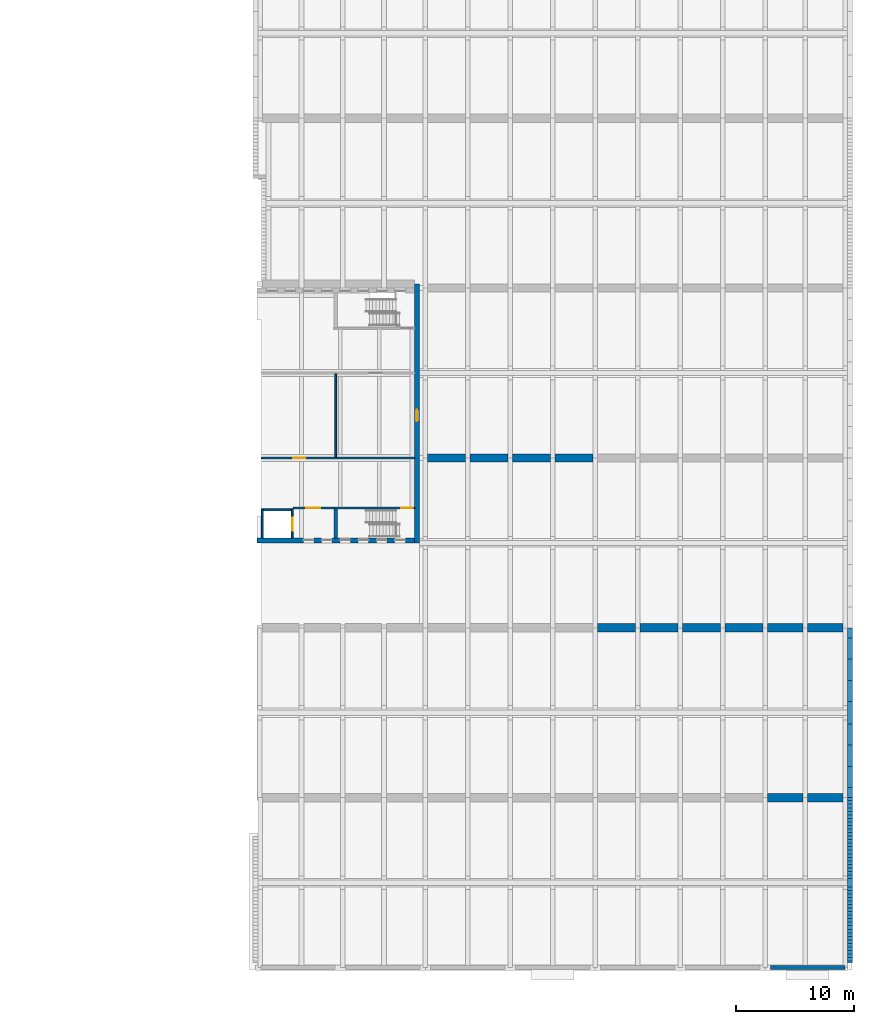
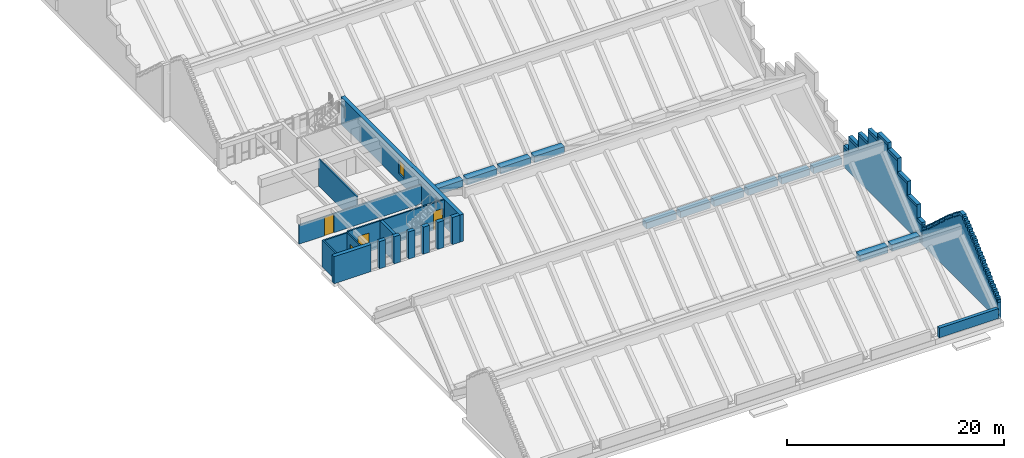
# One storey, part 23 of 31: 33 walls, 4 doors, 1 window, 5 openings.
"""IFC4 building model written with IfcOpenShell, lengths in metres."""

from ifc_helpers import new_model, si_unit, direction, frame, frame_2d, origin, place, context, subcontext, project, spatial, polyline, rectangle, outline, extrude, material, layer, layer_set, type_object, element, fill, save


model = new_model("IFC4")

# Units and contexts
model_context = context("Model", 3, precision=1e-05, world=origin(), true_north=direction((0.0, 1.0)))
body_context = subcontext(model_context, "Body", "Model", "MODEL_VIEW")
ifc_project = project(units=[si_unit("LENGTHUNIT", "METRE"), si_unit("AREAUNIT", "SQUARE_METRE"), si_unit("VOLUMEUNIT", "CUBIC_METRE"), si_unit("PLANEANGLEUNIT", "RADIAN"), si_unit("MASSUNIT", "GRAM", prefix="KILO")], contexts=[model_context])

# Site, building, storey
site_placement = place(None, origin())
site = spatial("IfcSite", under=ifc_project, at=site_placement, CompositionType="ELEMENT")
building_placement = place(site_placement, origin())
building = spatial("IfcBuilding", under=site, at=building_placement, Name="Vermilion Court Aquatics Centre", CompositionType="ELEMENT")
storey_placement = place(building_placement, frame((0.0, 0.0, 16.5)))
storey = spatial("IfcBuildingStorey", under=building, at=storey_placement, Name="L03", CompositionType="ELEMENT", Elevation=16.5)

# Wall
ifc_material_1 = material(Name="Concrete 5000 psi", Category="concrete")
ifc_layer_1 = layer(ifc_material_1, 0.14990234375)
ifc_layer_set_1 = layer_set([ifc_layer_1], Name="Diving Tower lift shaft wall 150")
wall_type_1 = type_object("IfcWallType", Name="Diving Tower lift shaft wall 150", PredefinedType="PARTITIONING", material=ifc_layer_set_1)
wall_1_placement = place(storey_placement, frame((144.574951171875, 36.39990234375, 0.0), z_axis=(0.0, 0.0, 1.0), x_axis=(0.0, 1.0, 0.0)))
element("IfcWall", 1, at=wall_1_placement, inside=storey, type_object=wall_type_1, Name="Diving Tower lift shaft wall west L03", PredefinedType="PARTITIONING", context=body_context, shape_type="SweptSolid", body=[
    extrude(rectangle(XDim=2.47509765625, YDim=0.14990234375, at=frame_2d((1.237548828125, 0.0))), origin(), (0.0, 0.0, 1.0), 3.050048828125),
])

# Wall, opening, door
wall_2_placement = place(storey_placement, frame((147.125, 36.39990234375, 0.0), z_axis=(0.0, 0.0, 1.0), x_axis=(0.0, 1.0, 0.0)))
wall_2 = element("IfcWall", 2, at=wall_2_placement, inside=storey, type_object=wall_type_1, Name="Diving Tower lift shaft wall front L03", PredefinedType="PARTITIONING", context=body_context, shape_type="SweptSolid", body=[
    extrude(rectangle(XDim=2.47509765625, YDim=0.14990234375, at=frame_2d((1.237548828125, 0.0))), origin(), (0.0, 0.0, 1.0), 3.050048828125),
])
opening_1_placement = place(wall_2_placement, frame((0.625, 0.0, 0.0)))
opening_1 = element("IfcOpeningElement", 3, at=opening_1_placement, cuts=wall_2, Name="Opening LD5-03", PredefinedType="OPENING", context=body_context, shape_type="SweptSolid", body=[
    extrude(rectangle(XDim=1.10009765625, YDim=2.10009765625, at=frame_2d((0.550048828125, 1.050048828125))), frame((0.0, 0.0849609375, 0.0), z_axis=(0.0, -1.0, 0.0), x_axis=(1.0, 0.0, 0.0)), (0.0, 0.0, 1.0), 0.169921875),
])
ifc_material_2 = material(Name="Hollow metal")
door_type_1 = type_object("IfcDoorType", Name="Diving Tower lift landing door 1100x2100", OperationType="DOUBLE_DOOR_SLIDING", PredefinedType="DOOR", material=ifc_material_2)
door_1_placement = place(opening_1_placement, origin())
door_1 = element("IfcDoor", 4, at=door_1_placement, inside=storey, type_object=door_type_1, Name="Lift landing door L5 L03", OperationType="DOUBLE_DOOR_SLIDING", OverallHeight=2.10009765625, OverallWidth=1.10009765625, PredefinedType="DOOR", context=body_context, shape_type="SweptSolid", body=[
    extrude(rectangle(XDim=1.10009765625, YDim=2.10009765625, at=frame_2d((0.550048828125, 1.050048828125))), frame((0.0, 0.02490234375, 0.0), z_axis=(0.0, -1.0, 0.0), x_axis=(1.0, 0.0, 0.0)), (0.0, 0.0, 1.0), 0.050048828125),
])
fill(opening_1, door_1)

# Wall
wall_3_placement = place(storey_placement, frame((144.64990234375, 38.800048828125, 0.0), z_axis=(0.0, 0.0, 1.0), x_axis=(1.0, 0.0, 0.0)))
element("IfcWall", 5, at=wall_3_placement, inside=storey, type_object=wall_type_1, Name="Diving Tower lift shaft wall north L03", PredefinedType="PARTITIONING", context=body_context, shape_type="SweptSolid", body=[
    extrude(rectangle(XDim=2.550048828125, YDim=0.14990234375, at=frame_2d((1.27490234375, 0.0))), origin(), (0.0, 0.0, 1.0), 3.050048828125),
])

# Wall, opening, door
ifc_material_3 = material(Name="Concrete masonry ASTM C90 Type I", Category="masonry")
ifc_layer_2 = layer(ifc_material_3, 0.14990234375)
ifc_layer_set_2 = layer_set([ifc_layer_2], Name="Diving Tower partition 150")
wall_type_2 = type_object("IfcWallType", Name="Diving Tower partition 150", PredefinedType="PARTITIONING", material=ifc_layer_set_2)
wall_4_placement = place(storey_placement, frame((144.5, 43.199951171875, 0.0), z_axis=(0.0, 0.0, 1.0), x_axis=(1.0, 0.0, 0.0)))
wall_4 = element("IfcWall", 6, at=wall_4_placement, inside=storey, type_object=wall_type_2, Name="Diving Tower partition y43.2 L03", PredefinedType="PARTITIONING", context=body_context, shape_type="SweptSolid", body=[
    extrude(rectangle(XDim=13.0, YDim=0.14990234375, at=frame_2d((6.5, 0.0))), origin(), (0.0, 0.0, 1.0), 2.14990234375),
])
opening_2_placement = place(wall_4_placement, frame((2.699951171875, 0.0, 0.0)))
opening_2 = element("IfcOpeningElement", 7, at=opening_2_placement, cuts=wall_4, Name="Opening U03-026", PredefinedType="OPENING", context=body_context, shape_type="SweptSolid", body=[
    extrude(rectangle(XDim=1.0, YDim=2.10009765625, at=frame_2d((0.5, 1.050048828125))), frame((0.0, 0.0849609375, 0.0), z_axis=(0.0, -1.0, 0.0), x_axis=(1.0, 0.0, 0.0)), (0.0, 0.0, 1.0), 0.169921875),
])
ifc_material_4 = material(Name="Timber door leaf", Category="wood")
door_type_2 = type_object("IfcDoorType", Name="Diving Tower room door FD20 1000x2100", OperationType="SINGLE_SWING_LEFT", PredefinedType="DOOR", material=ifc_material_4)
door_2_placement = place(opening_2_placement, origin())
door_2 = element("IfcDoor", 8, at=door_2_placement, inside=storey, type_object=door_type_2, Name="Judges' Room door L03", OperationType="SINGLE_SWING_LEFT", OverallHeight=2.10009765625, OverallWidth=1.0, PredefinedType="DOOR", context=body_context, shape_type="SweptSolid", body=[
    extrude(rectangle(XDim=1.0, YDim=2.10009765625, at=frame_2d((0.5, 1.050048828125))), frame((0.0, 0.02490234375, 0.0), z_axis=(0.0, -1.0, 0.0), x_axis=(1.0, 0.0, 0.0)), (0.0, 0.0, 1.0), 0.050048828125),
])
fill(opening_2, door_2)

# Wall
wall_5_placement = place(storey_placement, frame((150.800048828125, 43.27490234375, 0.0), z_axis=(0.0, 0.0, 1.0), x_axis=(0.0, 1.0, 0.0)))
element("IfcWall", 9, at=wall_5_placement, inside=storey, type_object=wall_type_2, Name="Diving Tower partition between rooms L03", PredefinedType="PARTITIONING", context=body_context, shape_type="SweptSolid", body=[
    extrude(rectangle(XDim=7.050048828125, YDim=0.14990234375, at=frame_2d((3.52490234375, 0.0))), origin(), (0.0, 0.0, 1.0), 3.050048828125),
])

# Wall, opening, window
ifc_material_5 = material(Name="Concrete 8000 psi", Category="concrete")
ifc_layer_3 = layer(ifc_material_5, 0.39990234375)
ifc_layer_set_3 = layer_set([ifc_layer_3], Name="Diving Tower shell wall 400")
wall_type_3 = type_object("IfcWallType", Name="Diving Tower shell wall 400", PredefinedType="SHEAR", material=ifc_layer_set_3)
wall_6_placement = place(storey_placement, frame((157.699951171875, 36.0, 0.0), z_axis=(0.0, 0.0, 1.0), x_axis=(0.0, 1.0, 0.0)))
wall_6 = element("IfcWall", 10, at=wall_6_placement, inside=storey, type_object=wall_type_3, Name="Diving Tower shell wall east L03", PredefinedType="SHEAR", context=body_context, shape_type="SweptSolid", body=[
    extrude(rectangle(XDim=21.949951171875, YDim=0.39990234375, at=frame_2d((10.97509765625, 0.0))), origin(), (0.0, 0.0, 1.0), 3.050048828125),
])
opening_3_placement = place(wall_6_placement, frame((10.300048828125, 0.0, 0.89990234375)))
opening_3 = element("IfcOpeningElement", 11, at=opening_3_placement, cuts=wall_6, Name="Opening UWN12", PredefinedType="OPENING", context=body_context, shape_type="SweptSolid", body=[
    extrude(rectangle(XDim=1.0, YDim=1.5, at=frame_2d((0.5, 0.75))), frame((0.0, 0.2099609375, 0.0), z_axis=(0.0, -1.0, 0.0), x_axis=(1.0, 0.0, 0.0)), (0.0, 0.0, 1.0), 0.419921875),
])
ifc_material_6 = material(Name="Aluminium 6063-T5", Category="aluminium")
window_type = type_object("IfcWindowType", Name="Diving Tower deep-set window 1000x1500", PartitioningType="SINGLE_PANEL", PredefinedType="WINDOW", material=ifc_material_6)
window_placement = place(opening_3_placement, origin())
window = element("IfcWindow", 12, at=window_placement, inside=storey, type_object=window_type, Name="Diving Tower window east 1 L03", OverallHeight=1.5, OverallWidth=1.0, PartitioningType="SINGLE_PANEL", PredefinedType="WINDOW", context=body_context, shape_type="SweptSolid", body=[
    extrude(rectangle(XDim=1.0, YDim=1.5, at=frame_2d((0.5, 0.75))), frame((0.0, 0.030029296875, 0.0), z_axis=(0.0, -1.0, 0.0), x_axis=(1.0, 0.0, 0.0)), (0.0, 0.0, 1.0), 0.06005859375),
])
fill(opening_3, window)

# Walls
ifc_material_7 = material(Name="Brick masonry", Category="masonry")
ifc_layer_4 = layer(ifc_material_7, 0.39990234375)
ifc_layer_set_4 = layer_set([ifc_layer_4], Name="Diving Tower slot pier wall 400")
wall_type_4 = type_object("IfcWallType", Name="Diving Tower slot pier wall 400", PredefinedType="SOLIDWALL", material=ifc_layer_set_4)
wall_7_placement = place(storey_placement, frame((144.110107421875, 36.199951171875, 0.0), z_axis=(0.0, 0.0, 1.0), x_axis=(1.0, 0.0, 0.0)))
element("IfcWall", 13, at=wall_7_placement, inside=storey, type_object=wall_type_4, Name="Diving Tower slot pier S1 L03", PredefinedType="SOLIDWALL", context=body_context, shape_type="SweptSolid", body=[
    extrude(rectangle(XDim=3.93994140625, YDim=0.39990234375, at=frame_2d((1.969970703125, 0.0))), origin(), (0.0, 0.0, 1.0), 3.050048828125),
])
wall_8_placement = place(storey_placement, frame((148.949951171875, 36.199951171875, 0.0), z_axis=(0.0, 0.0, 1.0), x_axis=(1.0, 0.0, 0.0)))
element("IfcWall", 14, at=wall_8_placement, inside=storey, type_object=wall_type_4, Name="Diving Tower slot pier S2 L03", PredefinedType="SOLIDWALL", context=body_context, shape_type="SweptSolid", body=[
    extrude(rectangle(XDim=0.650146484375, YDim=0.39990234375, at=frame_2d((0.3251953125, 0.0))), origin(), (0.0, 0.0, 1.0), 3.050048828125),
])
for number, where, z_axis, x_axis, name in (
    (15, (150.5, 36.199951171875, 0.0), (0.0, 0.0, 1.0), (1.0, 0.0, 0.0), "Diving Tower slot pier S3 L03"),
    (16, (152.050048828125, 36.199951171875, 0.0), (0.0, 0.0, 1.0), (1.0, 0.0, 0.0), "Diving Tower slot pier S4 L03"),
    (17, (153.60009765625, 36.199951171875, 0.0), (0.0, 0.0, 1.0), (1.0, 0.0, 0.0), "Diving Tower slot pier S5 L03"),
):
    element("IfcWall", number, at=place(storey_placement, frame(where, z_axis=z_axis, x_axis=x_axis)), inside=storey, type_object=wall_type_4, Name=name, PredefinedType="SOLIDWALL", context=body_context, shape_type="SweptSolid", body=[
        extrude(rectangle(XDim=0.64990234375, YDim=0.39990234375, at=frame_2d((0.324951171875, 0.0))), origin(), (0.0, 0.0, 1.0), 3.050048828125),
    ])
wall_9_placement = place(storey_placement, frame((155.14990234375, 36.199951171875, 0.0), z_axis=(0.0, 0.0, 1.0), x_axis=(1.0, 0.0, 0.0)))
element("IfcWall", 18, at=wall_9_placement, inside=storey, type_object=wall_type_4, Name="Diving Tower slot pier S6 L03", PredefinedType="SOLIDWALL", context=body_context, shape_type="SweptSolid", body=[
    extrude(rectangle(XDim=0.650146484375, YDim=0.39990234375, at=frame_2d((0.3251953125, 0.0))), origin(), (0.0, 0.0, 1.0), 3.050048828125),
])
wall_10_placement = place(storey_placement, frame((156.699951171875, 36.199951171875, 0.0), z_axis=(0.0, 0.0, 1.0), x_axis=(1.0, 0.0, 0.0)))
element("IfcWall", 19, at=wall_10_placement, inside=storey, type_object=wall_type_4, Name="Diving Tower slot pier S7 L03", PredefinedType="SOLIDWALL", context=body_context, shape_type="SweptSolid", body=[
    extrude(rectangle(XDim=0.800048828125, YDim=0.39990234375, at=frame_2d((0.39990234375, 0.0))), origin(), (0.0, 0.0, 1.0), 3.050048828125),
])

# Wall, opening, door
ifc_material_8 = material(Name="Concrete 5000 psi", Category="concrete")
ifc_layer_5 = layer(ifc_material_8, 0.14990234375)
ifc_layer_set_5 = layer_set([ifc_layer_5], Name="Diving Tower stair lane wall 150")
wall_type_5 = type_object("IfcWallType", Name="Diving Tower stair lane wall 150", PredefinedType="SHEAR", material=ifc_layer_set_5)
wall_11_placement = place(storey_placement, frame((150.64990234375, 38.949951171875, 0.0), z_axis=(0.0, 0.0, 1.0), x_axis=(1.0, 0.0, 0.0)))
wall_11 = element("IfcWall", 20, at=wall_11_placement, inside=storey, type_object=wall_type_5, Name="Diving Tower stair 1 lane wall L03", PredefinedType="SHEAR", context=body_context, shape_type="SweptSolid", body=[
    extrude(rectangle(XDim=6.85009765625, YDim=0.14990234375, at=frame_2d((3.425048828125, 0.0))), origin(), (0.0, 0.0, 1.0), 3.050048828125),
])
opening_4_placement = place(wall_11_placement, frame((5.699951171875, 0.0, 0.0)))
opening_4 = element("IfcOpeningElement", 21, at=opening_4_placement, cuts=wall_11, Name="Opening U03-023", PredefinedType="OPENING", context=body_context, shape_type="SweptSolid", body=[
    extrude(rectangle(XDim=1.0, YDim=2.10009765625, at=frame_2d((0.5, 1.050048828125))), frame((0.0, 0.0849609375, 0.0), z_axis=(0.0, -1.0, 0.0), x_axis=(1.0, 0.0, 0.0)), (0.0, 0.0, 1.0), 0.169921875),
])
ifc_material_9 = material(Name="Hollow metal")
door_type_3 = type_object("IfcDoorType", Name="Diving Tower stair door FD90 1000x2100", OperationType="NOTDEFINED", PredefinedType="DOOR", material=ifc_material_9)
door_3_placement = place(opening_4_placement, frame((1.0, 0.0, 0.0), z_axis=(0.0, 0.0, 1.0), x_axis=(-1.0, 0.0, 0.0)))
door_3 = element("IfcDoor", 22, at=door_3_placement, inside=storey, type_object=door_type_3, Name="Diving Stair 1 door L03", OperationType="SINGLE_SWING_LEFT", OverallHeight=2.10009765625, OverallWidth=1.0, PredefinedType="DOOR", context=body_context, shape_type="SweptSolid", body=[
    extrude(rectangle(XDim=1.0, YDim=2.10009765625, at=frame_2d((0.5, 1.050048828125))), frame((0.0, 0.025146484375, 0.0), z_axis=(0.0, -1.0, 0.0), x_axis=(1.0, 0.0, 0.0)), (0.0, 0.0, 1.0), 0.050048828125),
])
fill(opening_4, door_3)

wall_12_placement = place(storey_placement, frame((147.199951171875, 38.949951171875, 0.0), z_axis=(0.0, 0.0, 1.0), x_axis=(1.0, 0.0, 0.0)))
wall_12 = element("IfcWall", 23, at=wall_12_placement, inside=storey, type_object=wall_type_5, Name="Diving Tower lift lobby wall north L03", PredefinedType="SHEAR", context=body_context, shape_type="SweptSolid", body=[
    extrude(rectangle(XDim=3.449951171875, YDim=0.14990234375, at=frame_2d((1.72509765625, 0.0))), origin(), (0.0, 0.0, 1.0), 3.050048828125),
])
opening_5_placement = place(wall_12_placement, frame((1.10009765625, 0.0, 0.0)))
opening_5 = element("IfcOpeningElement", 24, at=opening_5_placement, cuts=wall_12, Name="Opening U03-025", PredefinedType="OPENING", context=body_context, shape_type="SweptSolid", body=[
    extrude(rectangle(XDim=1.199951171875, YDim=2.10009765625, at=frame_2d((0.60009765625, 1.050048828125))), frame((0.0, 0.0849609375, 0.0), z_axis=(0.0, -1.0, 0.0), x_axis=(1.0, 0.0, 0.0)), (0.0, 0.0, 1.0), 0.169921875),
])
ifc_material_10 = material(Name="Hollow metal")
door_type_4 = type_object("IfcDoorType", Name="Diving Tower lift lobby door FD90 1200x2100", OperationType="SINGLE_SWING_LEFT", PredefinedType="DOOR", material=ifc_material_10)
door_4_placement = place(opening_5_placement, origin())
door_4 = element("IfcDoor", 25, at=door_4_placement, inside=storey, type_object=door_type_4, Name="Diving Tower lift lobby door L03", OperationType="SINGLE_SWING_LEFT", OverallHeight=2.10009765625, OverallWidth=1.199951171875, PredefinedType="DOOR", context=body_context, shape_type="SweptSolid", body=[
    extrude(rectangle(XDim=1.199951171875, YDim=2.10009765625, at=frame_2d((0.60009765625, 1.050048828125))), frame((0.0, 0.02490234375, 0.0), z_axis=(0.0, -1.0, 0.0), x_axis=(1.0, 0.0, 0.0)), (0.0, 0.0, 1.0), 0.050048828125),
])
fill(opening_5, door_4)

# Walls
ifc_material_11 = material(Name="Concrete 8000 psi", Category="concrete")
ifc_layer_6 = layer(ifc_material_11, 0.300048828125)
ifc_layer_set_6 = layer_set([ifc_layer_6], Name="Diving Tower stair wall 300")
wall_type_6 = type_object("IfcWallType", Name="Diving Tower stair wall 300", PredefinedType="SHEAR", material=ifc_layer_set_6)
wall_13_placement = place(storey_placement, frame((150.800048828125, 36.39990234375, 0.0), z_axis=(0.0, 0.0, 1.0), x_axis=(0.0, 1.0, 0.0)))
element("IfcWall", 26, at=wall_13_placement, inside=storey, type_object=wall_type_6, Name="Diving Tower stair 1 west wall L03", PredefinedType="SHEAR", context=body_context, shape_type="SweptSolid", body=[
    extrude(rectangle(XDim=2.47509765625, YDim=0.300048828125, at=frame_2d((1.237548828125, 0.0))), origin(), (0.0, 0.0, 1.0), 3.050048828125),
])
ifc_material_12 = material(Name="Brick masonry", Category="masonry")
ifc_layer_7 = layer(ifc_material_12, 0.39990234375)
ifc_layer_set_7 = layer_set([ifc_layer_7], Name="Podium bell gable wall 400")
wall_type_7 = type_object("IfcWallType", Name="Podium bell gable wall 400", PredefinedType="SOLIDWALL", material=ifc_layer_set_7)
wall_14_placement = place(storey_placement, frame((194.39990234375, 0.449951171875, 0.0), z_axis=(0.0, 0.0, 1.0), x_axis=(0.0, 1.0, 0.0)))
element("IfcWall", 27, at=wall_14_placement, inside=storey, type_object=wall_type_7, Name="Bell gable wall", PredefinedType="SOLIDWALL", context=body_context, shape_type="SweptSolid", body=[
    extrude(outline(polyline([(0.0, 0.0), (13.949951171875, 0.0), (13.949951171875, 1.64990234375), (13.64990234375, 1.64990234375), (13.64990234375, 1.875), (13.35009765625, 1.875), (13.35009765625, 2.10009765625), (13.050048828125, 2.10009765625), (13.050048828125, 2.39990234375), (12.75, 2.39990234375), (12.75, 2.625), (12.449951171875, 2.625), (12.449951171875, 2.925048828125), (12.14990234375, 2.925048828125), (12.14990234375, 3.14990234375), (11.85009765625, 3.14990234375), (11.85009765625, 3.449951171875), (11.550048828125, 3.449951171875), (11.550048828125, 3.75), (11.25, 3.75), (11.25, 3.97509765625), (10.949951171875, 3.97509765625), (10.949951171875, 4.27490234375), (10.64990234375, 4.27490234375), (10.64990234375, 4.574951171875), (10.35009765625, 4.574951171875), (10.35009765625, 4.800048828125), (10.050048828125, 4.800048828125), (10.050048828125, 5.10009765625), (9.75, 5.10009765625), (9.75, 5.39990234375), (9.449951171875, 5.39990234375), (9.449951171875, 5.625), (9.14990234375, 5.625), (9.14990234375, 5.925048828125), (8.85009765625, 5.925048828125), (8.85009765625, 6.14990234375), (8.550048828125, 6.14990234375), (8.550048828125, 6.375), (8.25, 6.375), (8.25, 6.675048828125), (7.949951171875, 6.675048828125), (7.949951171875, 6.89990234375), (7.64990234375, 6.89990234375), (7.64990234375, 7.125), (7.35009765625, 7.125), (7.35009765625, 7.35009765625), (7.050048828125, 7.35009765625), (7.050048828125, 7.574951171875), (6.75, 7.574951171875), (6.75, 7.574951171875), (6.449951171875, 7.574951171875), (6.449951171875, 7.35009765625), (6.14990234375, 7.35009765625), (6.14990234375, 7.125), (5.85009765625, 7.125), (5.85009765625, 6.89990234375), (5.550048828125, 6.89990234375), (5.550048828125, 6.675048828125), (5.25, 6.675048828125), (5.25, 6.375), (4.949951171875, 6.375), (4.949951171875, 6.14990234375), (4.64990234375, 6.14990234375), (4.64990234375, 5.925048828125), (4.35009765625, 5.925048828125), (4.35009765625, 5.625), (4.050048828125, 5.625), (4.050048828125, 5.39990234375), (3.75, 5.39990234375), (3.75, 5.10009765625), (3.449951171875, 5.10009765625), (3.449951171875, 4.800048828125), (3.14990234375, 4.800048828125), (3.14990234375, 4.574951171875), (2.85009765625, 4.574951171875), (2.85009765625, 4.27490234375), (2.550048828125, 4.27490234375), (2.550048828125, 3.97509765625), (2.25, 3.97509765625), (2.25, 3.75), (1.949951171875, 3.75), (1.949951171875, 3.449951171875), (1.64990234375, 3.449951171875), (1.64990234375, 3.14990234375), (1.35009765625, 3.14990234375), (1.35009765625, 2.925048828125), (1.050048828125, 2.925048828125), (1.050048828125, 2.625), (0.75, 2.625), (0.75, 2.39990234375), (0.449951171875, 2.39990234375), (0.449951171875, 2.10009765625), (0.14990234375, 2.10009765625), (0.14990234375, 1.875), (0.0, 1.875), (0.0, 0.0)])), frame((0.0, 0.199951171875, 0.0), z_axis=(0.0, -1.0, 0.0), x_axis=(1.0, 0.0, 0.0)), (0.0, 0.0, 1.0), 0.39990234375),
])
ifc_material_13 = material(Name="Brick masonry", Category="masonry")
ifc_layer_8 = layer(ifc_material_13, 0.39990234375)
ifc_layer_set_8 = layer_set([ifc_layer_8], Name="Podium crow-stepped gable wall 400")
wall_type_8 = type_object("IfcWallType", Name="Podium crow-stepped gable wall 400", PredefinedType="SOLIDWALL", material=ifc_layer_set_8)
wall_15_placement = place(storey_placement, frame((194.39990234375, 14.39990234375, 0.0), z_axis=(0.0, 0.0, 1.0), x_axis=(0.0, 1.0, 0.0)))
element("IfcWall", 28, at=wall_15_placement, inside=storey, type_object=wall_type_8, Name="Crow-stepped gable wall", PredefinedType="SOLIDWALL", context=body_context, shape_type="SweptSolid", body=[
    extrude(outline(polyline([(0.0, 0.0), (14.400146484375, 0.0), (14.39990234375, 2.140625), (13.5, 2.140625), (13.5, 3.651123046875), (11.699951171875, 3.651123046875), (11.699951171875, 5.16162109375), (9.89990234375, 5.16162109375), (9.89990234375, 6.671875), (8.10009765625, 6.671875), (8.10009765625, 7.32861328125), (7.199951171875, 7.32861328125), (7.199951171875, 7.32861328125), (6.300048828125, 7.32861328125), (6.300048828125, 6.671875), (4.5, 6.671875), (4.5, 5.16162109375), (2.699951171875, 5.16162109375), (2.699951171875, 3.651123046875), (0.89990234375, 3.651123046875), (0.89990234375, 2.140625), (0.0, 2.140625), (0.0, 0.0)])), frame((0.0, 0.199951171875, 0.0), z_axis=(0.0, -1.0, 0.0), x_axis=(1.0, 0.0, 0.0)), (0.0, 0.0, 1.0), 0.39990234375),
])
ifc_material_14 = material(Name="Brick masonry", Category="masonry")
ifc_layer_9 = layer(ifc_material_14, 0.35009765625)
ifc_layer_set_9 = layer_set([ifc_layer_9], Name="Podium parapet brick wall 350")
wall_type_9 = type_object("IfcWallType", Name="Podium parapet brick wall 350", PredefinedType="PARAPET", material=ifc_layer_set_9)
wall_16_placement = place(storey_placement, frame((187.64990234375, 0.0, 0.60009765625), z_axis=(0.0, 0.0, 1.0), x_axis=(1.0, 0.0, 0.0)))
element("IfcWall", 29, at=wall_16_placement, inside=storey, type_object=wall_type_9, Name="Roof parapet", PredefinedType="PARAPET", context=body_context, shape_type="SweptSolid", body=[
    extrude(rectangle(XDim=6.300048828125, YDim=0.35009765625, at=frame_2d((3.14990234375, 0.0))), origin(), (0.0, 0.0, 1.0), 1.099853515625),
])
ifc_material_15 = material(Name="Terracotta cladding", Category="masonry")
ifc_layer_10 = layer(ifc_material_15, 0.39990234375)
ifc_layer_set_10 = layer_set([ifc_layer_10], Name="Podium terracotta gable coping 400")
wall_type_10 = type_object("IfcWallType", Name="Podium terracotta gable coping 400", PredefinedType="PARAPET", material=ifc_layer_set_10)
wall_17_placement = place(storey_placement, frame((194.39990234375, 0.449951171875, 0.0), z_axis=(0.0, 0.0, 1.0), x_axis=(0.0, 1.0, 0.0)))
element("IfcWall", 30, at=wall_17_placement, inside=storey, type_object=wall_type_10, Name="Terracotta gable coping", PredefinedType="PARAPET", context=body_context, shape_type="SweptSolid", body=[
    extrude(outline(polyline([(0.0, 1.875), (0.14990234375, 1.875), (0.14990234375, 2.10009765625), (0.449951171875, 2.10009765625), (0.449951171875, 2.39990234375), (0.75, 2.39990234375), (0.75, 2.625), (1.050048828125, 2.625), (1.050048828125, 2.925048828125), (1.35009765625, 2.925048828125), (1.35009765625, 3.14990234375), (1.64990234375, 3.14990234375), (1.64990234375, 3.449951171875), (1.949951171875, 3.449951171875), (1.949951171875, 3.75), (2.25, 3.75), (2.25, 3.97509765625), (2.550048828125, 3.97509765625), (2.550048828125, 4.27490234375), (2.85009765625, 4.27490234375), (2.85009765625, 4.574951171875), (3.14990234375, 4.574951171875), (3.14990234375, 4.800048828125), (3.449951171875, 4.800048828125), (3.449951171875, 5.10009765625), (3.75, 5.10009765625), (3.75, 5.39990234375), (4.050048828125, 5.39990234375), (4.050048828125, 5.625), (4.35009765625, 5.625), (4.35009765625, 5.925048828125), (4.64990234375, 5.925048828125), (4.64990234375, 6.14990234375), (4.949951171875, 6.14990234375), (4.949951171875, 6.375), (5.25, 6.375), (5.25, 6.675048828125), (5.550048828125, 6.675048828125), (5.550048828125, 6.89990234375), (5.85009765625, 6.89990234375), (5.85009765625, 7.125), (6.14990234375, 7.125), (6.14990234375, 7.35009765625), (6.449951171875, 7.35009765625), (6.449951171875, 7.574951171875), (6.75, 7.574951171875), (6.75, 7.574951171875), (7.050048828125, 7.574951171875), (7.050048828125, 7.35009765625), (7.35009765625, 7.35009765625), (7.35009765625, 7.125), (7.64990234375, 7.125), (7.64990234375, 6.89990234375), (7.949951171875, 6.89990234375), (7.949951171875, 6.675048828125), (8.25, 6.675048828125), (8.25, 6.375), (8.550048828125, 6.375), (8.550048828125, 6.14990234375), (8.85009765625, 6.14990234375), (8.85009765625, 5.925048828125), (9.14990234375, 5.925048828125), (9.14990234375, 5.625), (9.449951171875, 5.625), (9.449951171875, 5.39990234375), (9.75, 5.39990234375), (9.75, 5.10009765625), (10.050048828125, 5.10009765625), (10.050048828125, 4.800048828125), (10.35009765625, 4.800048828125), (10.35009765625, 4.574951171875), (10.64990234375, 4.574951171875), (10.64990234375, 4.27490234375), (10.949951171875, 4.27490234375), (10.949951171875, 3.97509765625), (11.25, 3.97509765625), (11.25, 3.75), (11.550048828125, 3.75), (11.550048828125, 3.449951171875), (11.85009765625, 3.449951171875), (11.85009765625, 3.14990234375), (12.14990234375, 3.14990234375), (12.14990234375, 2.925048828125), (12.449951171875, 2.925048828125), (12.449951171875, 2.625), (12.75, 2.625), (12.75, 2.39990234375), (13.050048828125, 2.39990234375), (13.050048828125, 2.10009765625), (13.35009765625, 2.10009765625), (13.35009765625, 1.875), (13.64990234375, 1.875), (13.64990234375, 1.64990234375), (13.949951171875, 1.64990234375), (13.949951171875, 1.949951171875), (13.699951171875, 1.949951171875), (13.699951171875, 2.175048828125), (13.39990234375, 2.175048828125), (13.39990234375, 2.39990234375), (13.10009765625, 2.39990234375), (13.10009765625, 2.699951171875), (12.800048828125, 2.699951171875), (12.800048828125, 2.925048828125), (12.5, 2.925048828125), (12.5, 3.22509765625), (12.199951171875, 3.22509765625), (12.199951171875, 3.449951171875), (11.89990234375, 3.449951171875), (11.89990234375, 3.75), (11.60009765625, 3.75), (11.60009765625, 4.050048828125), (11.300048828125, 4.050048828125), (11.300048828125, 4.27490234375), (11.0, 4.27490234375), (11.0, 4.574951171875), (10.699951171875, 4.574951171875), (10.699951171875, 4.875), (10.39990234375, 4.875), (10.39990234375, 5.10009765625), (10.10009765625, 5.10009765625), (10.10009765625, 5.39990234375), (9.800048828125, 5.39990234375), (9.800048828125, 5.699951171875), (9.5, 5.699951171875), (9.5, 5.925048828125), (9.199951171875, 5.925048828125), (9.199951171875, 6.22509765625), (8.89990234375, 6.22509765625), (8.89990234375, 6.449951171875), (8.60009765625, 6.449951171875), (8.60009765625, 6.675048828125), (8.300048828125, 6.675048828125), (8.300048828125, 6.97509765625), (8.0, 6.97509765625), (8.0, 7.199951171875), (7.699951171875, 7.199951171875), (7.699951171875, 7.425048828125), (7.39990234375, 7.425048828125), (7.39990234375, 7.64990234375), (7.10009765625, 7.64990234375), (7.10009765625, 7.875), (6.699951171875, 7.875), (6.699951171875, 7.875), (6.39990234375, 7.875), (6.39990234375, 7.64990234375), (6.10009765625, 7.64990234375), (6.10009765625, 7.425048828125), (5.800048828125, 7.425048828125), (5.800048828125, 7.199951171875), (5.5, 7.199951171875), (5.5, 6.97509765625), (5.199951171875, 6.97509765625), (5.199951171875, 6.675048828125), (4.89990234375, 6.675048828125), (4.89990234375, 6.449951171875), (4.60009765625, 6.449951171875), (4.60009765625, 6.22509765625), (4.300048828125, 6.22509765625), (4.300048828125, 5.925048828125), (4.0, 5.925048828125), (4.0, 5.699951171875), (3.699951171875, 5.699951171875), (3.699951171875, 5.39990234375), (3.39990234375, 5.39990234375), (3.39990234375, 5.10009765625), (3.10009765625, 5.10009765625), (3.10009765625, 4.875), (2.800048828125, 4.875), (2.800048828125, 4.574951171875), (2.5, 4.574951171875), (2.5, 4.27490234375), (2.199951171875, 4.27490234375), (2.199951171875, 4.050048828125), (1.89990234375, 4.050048828125), (1.89990234375, 3.75), (1.60009765625, 3.75), (1.60009765625, 3.449951171875), (1.300048828125, 3.449951171875), (1.300048828125, 3.22509765625), (1.0, 3.22509765625), (1.0, 2.925048828125), (0.699951171875, 2.925048828125), (0.699951171875, 2.699951171875), (0.39990234375, 2.699951171875), (0.39990234375, 2.39990234375), (0.10009765625, 2.39990234375), (0.10009765625, 2.175048828125), (0.0, 2.175048828125), (0.0, 1.875)])), frame((0.0, 0.199951171875, 0.0), z_axis=(0.0, -1.0, 0.0), x_axis=(1.0, 0.0, 0.0)), (0.0, 0.0, 1.0), 0.39990234375),
])
wall_18_placement = place(storey_placement, frame((194.39990234375, 14.39990234375, 0.0), z_axis=(0.0, 0.0, 1.0), x_axis=(0.0, 1.0, 0.0)))
element("IfcWall", 31, at=wall_18_placement, inside=storey, type_object=wall_type_10, Name="Terracotta gable coping", PredefinedType="PARAPET", context=body_context, shape_type="SweptSolid", body=[
    extrude(outline(polyline([(0.0, 2.140625), (0.89990234375, 2.140625), (0.89990234375, 3.651123046875), (2.699951171875, 3.651123046875), (2.699951171875, 5.16162109375), (4.5, 5.16162109375), (4.5, 6.671875), (6.300048828125, 6.671875), (6.300048828125, 7.32861328125), (7.199951171875, 7.32861328125), (7.199951171875, 7.32861328125), (8.10009765625, 7.32861328125), (8.10009765625, 6.671875), (9.89990234375, 6.671875), (9.89990234375, 5.16162109375), (11.699951171875, 5.16162109375), (11.699951171875, 3.651123046875), (13.5, 3.651123046875), (13.5, 2.140625), (14.39990234375, 2.140625), (14.39990234375, 2.440673828125), (13.550048828125, 2.440673828125), (13.550048828125, 3.951171875), (11.75, 3.951171875), (11.75, 5.46142578125), (9.949951171875, 5.46142578125), (9.949951171875, 6.971923828125), (8.14990234375, 6.971923828125), (8.14990234375, 7.628662109375), (7.14990234375, 7.628662109375), (7.14990234375, 7.628662109375), (6.25, 7.628662109375), (6.25, 6.971923828125), (4.449951171875, 6.971923828125), (4.449951171875, 5.46142578125), (2.64990234375, 5.46142578125), (2.64990234375, 3.951171875), (0.85009765625, 3.951171875), (0.85009765625, 2.440673828125), (0.0, 2.440673828125), (0.0, 2.140625)])), frame((0.0, 0.199951171875, 0.0), z_axis=(0.0, -1.0, 0.0), x_axis=(1.0, 0.0, 0.0)), (0.0, 0.0, 1.0), 0.39990234375),
])
ifc_material_16 = material(Name="Brick masonry", Category="masonry")
ifc_layer_11 = layer(ifc_material_16, 0.699951171875)
ifc_layer_set_11 = layer_set([ifc_layer_11], Name="Podium valley upstand wall 700")
wall_type_11 = type_object("IfcWallType", Name="Podium valley upstand wall 700", PredefinedType="SOLIDWALL", material=ifc_layer_set_11)
for number, where, z_axis, x_axis, name in (
    (32, (187.39990234375, 14.39990234375, 0.60009765625), (0.0, 0.0, 1.0), (1.0, 0.0, 0.0), "Valley upstand wall"),
    (33, (190.800048828125, 14.39990234375, 0.60009765625), (0.0, 0.0, 1.0), (1.0, 0.0, 0.0), "Valley upstand wall"),
):
    element("IfcWall", number, at=place(storey_placement, frame(where, z_axis=z_axis, x_axis=x_axis)), inside=storey, type_object=wall_type_11, Name=name, PredefinedType="SOLIDWALL", context=body_context, shape_type="SweptSolid", body=[
        extrude(rectangle(XDim=3.0, YDim=0.699951171875, at=frame_2d((1.5, 0.0))), origin(), (0.0, 0.0, 1.0), 0.7392578125),
    ])
for number, where, z_axis, x_axis, name in (
    (34, (173.0, 28.800048828125, 0.60009765625), (0.0, 0.0, 1.0), (1.0, 0.0, 0.0), "Valley upstand wall"),
    (35, (176.60009765625, 28.800048828125, 0.60009765625), (0.0, 0.0, 1.0), (1.0, 0.0, 0.0), "Valley upstand wall"),
    (36, (180.199951171875, 28.800048828125, 0.60009765625), (0.0, 0.0, 1.0), (1.0, 0.0, 0.0), "Valley upstand wall"),
    (37, (183.800048828125, 28.800048828125, 0.60009765625), (0.0, 0.0, 1.0), (1.0, 0.0, 0.0), "Valley upstand wall"),
):
    element("IfcWall", number, at=place(storey_placement, frame(where, z_axis=z_axis, x_axis=x_axis)), inside=storey, type_object=wall_type_11, Name=name, PredefinedType="SOLIDWALL", context=body_context, shape_type="SweptSolid", body=[
        extrude(rectangle(XDim=3.199951171875, YDim=0.699951171875, at=frame_2d((1.60009765625, 0.0))), origin(), (0.0, 0.0, 1.0), 0.72998046875),
    ])
for number, where, z_axis, x_axis, name in (
    (38, (187.39990234375, 28.800048828125, 0.60009765625), (0.0, 0.0, 1.0), (1.0, 0.0, 0.0), "Valley upstand wall"),
    (39, (190.800048828125, 28.800048828125, 0.60009765625), (0.0, 0.0, 1.0), (1.0, 0.0, 0.0), "Valley upstand wall"),
):
    element("IfcWall", number, at=place(storey_placement, frame(where, z_axis=z_axis, x_axis=x_axis)), inside=storey, type_object=wall_type_11, Name=name, PredefinedType="SOLIDWALL", context=body_context, shape_type="SweptSolid", body=[
        extrude(rectangle(XDim=3.0, YDim=0.699951171875, at=frame_2d((1.5, 0.0))), origin(), (0.0, 0.0, 1.0), 0.72998046875),
    ])
for number, where, z_axis, x_axis, name in (
    (40, (158.60009765625, 43.199951171875, 0.60009765625), (0.0, 0.0, 1.0), (1.0, 0.0, 0.0), "Valley upstand wall"),
    (41, (162.199951171875, 43.199951171875, 0.60009765625), (0.0, 0.0, 1.0), (1.0, 0.0, 0.0), "Valley upstand wall"),
    (42, (165.800048828125, 43.199951171875, 0.60009765625), (0.0, 0.0, 1.0), (1.0, 0.0, 0.0), "Valley upstand wall"),
):
    element("IfcWall", number, at=place(storey_placement, frame(where, z_axis=z_axis, x_axis=x_axis)), inside=storey, type_object=wall_type_11, Name=name, PredefinedType="SOLIDWALL", context=body_context, shape_type="SweptSolid", body=[
        extrude(rectangle(XDim=3.199951171875, YDim=0.699951171875, at=frame_2d((1.60009765625, 0.0))), origin(), (0.0, 0.0, 1.0), 0.72998046875),
    ])
wall_19_placement = place(storey_placement, frame((169.39990234375, 43.199951171875, 0.60009765625), z_axis=(0.0, 0.0, 1.0), x_axis=(1.0, 0.0, 0.0)))
element("IfcWall", 43, at=wall_19_placement, inside=storey, type_object=wall_type_11, Name="Valley upstand wall", PredefinedType="SOLIDWALL", context=body_context, shape_type="SweptSolid", body=[
    extrude(rectangle(XDim=3.2001953125, YDim=0.699951171875, at=frame_2d((1.60009765625, 0.0))), origin(), (0.0, 0.0, 1.0), 0.72998046875),
])

save(model, "model.ifc")
